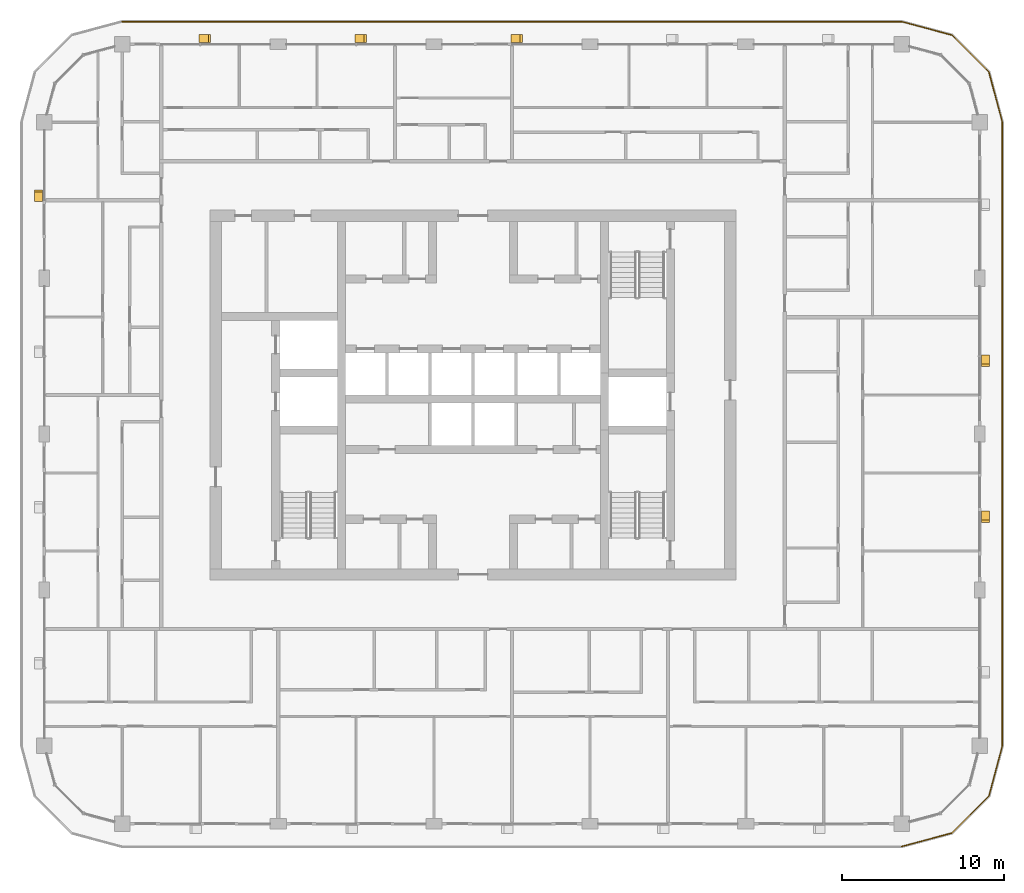
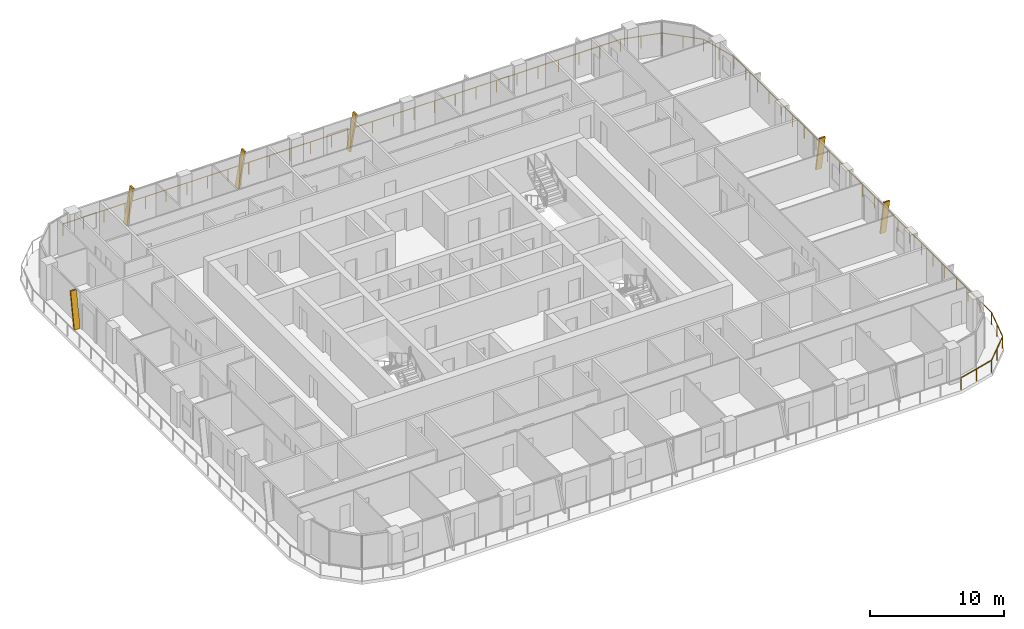
# One storey, part 21 of 22: 6 shading devices, 1 railing.
"""IFC4 building model written with IfcOpenShell, lengths in metres."""

from ifc_helpers import new_model, si_unit, direction, frame, origin, origin_2d, place, context, subcontext, project, spatial, polyline, circle, outline, extrude, material, type_object, element, save


model = new_model("IFC4")

# Units and contexts
model_context = context("Model", 3, precision=1e-05, world=origin(), true_north=direction((0.0, 1.0)))
body_context = subcontext(model_context, "Body", "Model", "MODEL_VIEW")
ifc_project = project(units=[si_unit("LENGTHUNIT", "METRE"), si_unit("AREAUNIT", "SQUARE_METRE"), si_unit("VOLUMEUNIT", "CUBIC_METRE"), si_unit("PLANEANGLEUNIT", "RADIAN"), si_unit("MASSUNIT", "GRAM", prefix="KILO")], contexts=[model_context])

# Site, building, storey
site_placement = place(None, origin())
site = spatial("IfcSite", under=ifc_project, at=site_placement, CompositionType="ELEMENT")
building_placement = place(site_placement, origin())
building = spatial("IfcBuilding", under=site, at=building_placement, Name="Madar Terraces", CompositionType="ELEMENT")
storey_placement = place(building_placement, frame((0.0, 0.0, 182.39990234375)))
storey = spatial("IfcBuildingStorey", under=building, at=storey_placement, Name="L47", CompositionType="ELEMENT", Elevation=182.39990234375)

# Railing
ifc_material_1 = material(Name="Glass, safety glazing, with stainless steel posts", Category="steel")
railing_type = type_object("IfcRailingType", Name="Balcony glass guard 1100", PredefinedType="GUARDRAIL", material=ifc_material_1)
railing_placement = place(storey_placement, frame((57.60009765625, -1.39990234375, 0.0)))
element("IfcRailing", 1, at=railing_placement, inside=storey, type_object=railing_type, Name="Balcony guard", PredefinedType="GUARDRAIL", context=body_context, shape_type="SweptSolid", body=[
    extrude(circle(Radius=0.02392578125, at=origin_2d()), frame((0.0, 0.0, 1.076171875), z_axis=(0.965928696102, 0.258808334578, 0.0), x_axis=(-0.258808334578, 0.965928696102, 0.0)), (0.0, 0.0, 1.0), 3.209228515625),
    extrude(circle(Radius=0.02392578125, at=origin_2d()), frame((3.099853515625, 0.83056640625, 1.076171875), z_axis=(0.707144815061, 0.707068745266, 0.0), x_axis=(-0.707068745266, 0.707144815061, 0.0)), (0.0, 0.0, 1.0), 3.20947265625),
    extrude(circle(Radius=0.02392578125, at=origin_2d()), frame((5.369384765625, 3.099853515625, 1.076171875), z_axis=(0.258789317819, 0.9659337912, 0.0), x_axis=(-0.9659337912, 0.258789317819, 0.0)), (0.0, 0.0, 1.0), 3.20947265625),
    extrude(circle(Radius=0.02392578125, at=origin_2d()), frame((6.199951171875, 6.199951171875, 1.076171875), z_axis=(0.0, 1.0, 0.0), x_axis=(-1.0, 0.0, 0.0)), (0.0, 0.0, 1.0), 38.39990234375),
    extrude(circle(Radius=0.02392578125, at=origin_2d()), frame((6.199951171875, 44.599853515625, 1.076171875), z_axis=(-0.258789317819, 0.9659337912, 0.0), x_axis=(-0.9659337912, -0.258789317819, 0.0)), (0.0, 0.0, 1.0), 3.20947265625),
    extrude(circle(Radius=0.02392578125, at=origin_2d()), frame((5.369384765625, 47.699951171875, 1.076171875), z_axis=(-0.707144815061, 0.707068745266, 0.0), x_axis=(-0.707068745266, -0.707144815061, 0.0)), (0.0, 0.0, 1.0), 3.20947265625),
    extrude(circle(Radius=0.02392578125, at=origin_2d()), frame((3.099853515625, 49.96923828125, 1.076171875), z_axis=(-0.965928696102, 0.258808334578, 0.0), x_axis=(-0.258808334578, -0.965928696102, 0.0)), (0.0, 0.0, 1.0), 3.209228515625),
    extrude(circle(Radius=0.02392578125, at=origin_2d()), frame((0.0, 50.7998046875, 1.076171875), z_axis=(-1.0, 0.0, 0.0), x_axis=(0.0, -1.0, 0.0)), (0.0, 0.0, 1.0), 48.0),
    extrude(circle(Radius=0.02099609375, at=origin_2d()), origin(), (0.0, 0.0, 1.0), 1.052001953125),
    extrude(circle(Radius=0.02099609375, at=origin_2d()), frame((1.5498046875, 0.415283203125, 0.0)), (0.0, 0.0, 1.0), 1.052001953125),
    extrude(circle(Radius=0.02099609375, at=origin_2d()), frame((3.099853515625, 0.83056640625, 0.0)), (0.0, 0.0, 1.0), 1.052001953125),
    extrude(circle(Radius=0.02099609375, at=origin_2d()), frame((4.234619140625, 1.96533203125, 0.0)), (0.0, 0.0, 1.0), 1.052001953125),
    extrude(circle(Radius=0.02099609375, at=origin_2d()), frame((5.369384765625, 3.099853515625, 0.0)), (0.0, 0.0, 1.0), 1.052001953125),
    extrude(circle(Radius=0.02099609375, at=origin_2d()), frame((5.78466796875, 4.64990234375, 0.0)), (0.0, 0.0, 1.0), 1.052001953125),
    extrude(circle(Radius=0.02099609375, at=origin_2d()), frame((6.199951171875, 6.199951171875, 0.0)), (0.0, 0.0, 1.0), 1.052001953125),
    extrude(circle(Radius=0.02099609375, at=origin_2d()), frame((6.199951171875, 7.9453125, 0.0)), (0.0, 0.0, 1.0), 1.052001953125),
    extrude(circle(Radius=0.02099609375, at=origin_2d()), frame((6.199951171875, 9.69091796875, 0.0)), (0.0, 0.0, 1.0), 1.052001953125),
    extrude(circle(Radius=0.02099609375, at=origin_2d()), frame((6.199951171875, 11.436279296875, 0.0)), (0.0, 0.0, 1.0), 1.052001953125),
    extrude(circle(Radius=0.02099609375, at=origin_2d()), frame((6.199951171875, 13.181640625, 0.0)), (0.0, 0.0, 1.0), 1.052001953125),
    extrude(circle(Radius=0.02099609375, at=origin_2d()), frame((6.199951171875, 14.92724609375, 0.0)), (0.0, 0.0, 1.0), 1.052001953125),
    extrude(circle(Radius=0.02099609375, at=origin_2d()), frame((6.199951171875, 16.672607421875, 0.0)), (0.0, 0.0, 1.0), 1.052001953125),
    extrude(circle(Radius=0.02099609375, at=origin_2d()), frame((6.199951171875, 18.418212890625, 0.0)), (0.0, 0.0, 1.0), 1.052001953125),
    extrude(circle(Radius=0.02099609375, at=origin_2d()), frame((6.199951171875, 20.16357421875, 0.0)), (0.0, 0.0, 1.0), 1.052001953125),
    extrude(circle(Radius=0.02099609375, at=origin_2d()), frame((6.199951171875, 21.908935546875, 0.0)), (0.0, 0.0, 1.0), 1.052001953125),
    extrude(circle(Radius=0.02099609375, at=origin_2d()), frame((6.199951171875, 23.654541015625, 0.0)), (0.0, 0.0, 1.0), 1.052001953125),
    extrude(circle(Radius=0.02099609375, at=origin_2d()), frame((6.199951171875, 25.39990234375, 0.0)), (0.0, 0.0, 1.0), 1.052001953125),
    extrude(circle(Radius=0.02099609375, at=origin_2d()), frame((6.199951171875, 27.145263671875, 0.0)), (0.0, 0.0, 1.0), 1.052001953125),
    extrude(circle(Radius=0.02099609375, at=origin_2d()), frame((6.199951171875, 28.890869140625, 0.0)), (0.0, 0.0, 1.0), 1.052001953125),
    extrude(circle(Radius=0.02099609375, at=origin_2d()), frame((6.199951171875, 30.63623046875, 0.0)), (0.0, 0.0, 1.0), 1.052001953125),
    extrude(circle(Radius=0.02099609375, at=origin_2d()), frame((6.199951171875, 32.381591796875, 0.0)), (0.0, 0.0, 1.0), 1.052001953125),
    extrude(circle(Radius=0.02099609375, at=origin_2d()), frame((6.199951171875, 34.127197265625, 0.0)), (0.0, 0.0, 1.0), 1.052001953125),
    extrude(circle(Radius=0.02099609375, at=origin_2d()), frame((6.199951171875, 35.87255859375, 0.0)), (0.0, 0.0, 1.0), 1.052001953125),
    extrude(circle(Radius=0.02099609375, at=origin_2d()), frame((6.199951171875, 37.6181640625, 0.0)), (0.0, 0.0, 1.0), 1.052001953125),
    extrude(circle(Radius=0.02099609375, at=origin_2d()), frame((6.199951171875, 39.363525390625, 0.0)), (0.0, 0.0, 1.0), 1.052001953125),
    extrude(circle(Radius=0.02099609375, at=origin_2d()), frame((6.199951171875, 41.10888671875, 0.0)), (0.0, 0.0, 1.0), 1.052001953125),
    extrude(circle(Radius=0.02099609375, at=origin_2d()), frame((6.199951171875, 42.8544921875, 0.0)), (0.0, 0.0, 1.0), 1.052001953125),
    extrude(circle(Radius=0.02099609375, at=origin_2d()), frame((6.199951171875, 44.599853515625, 0.0)), (0.0, 0.0, 1.0), 1.052001953125),
    extrude(circle(Radius=0.02099609375, at=origin_2d()), frame((5.78466796875, 46.14990234375, 0.0)), (0.0, 0.0, 1.0), 1.052001953125),
    extrude(circle(Radius=0.02099609375, at=origin_2d()), frame((5.369384765625, 47.699951171875, 0.0)), (0.0, 0.0, 1.0), 1.052001953125),
    extrude(circle(Radius=0.02099609375, at=origin_2d()), frame((4.234619140625, 48.83447265625, 0.0)), (0.0, 0.0, 1.0), 1.052001953125),
    extrude(circle(Radius=0.02099609375, at=origin_2d()), frame((3.099853515625, 49.96923828125, 0.0)), (0.0, 0.0, 1.0), 1.052001953125),
    extrude(circle(Radius=0.02099609375, at=origin_2d()), frame((1.5498046875, 50.384521484375, 0.0)), (0.0, 0.0, 1.0), 1.052001953125),
    extrude(circle(Radius=0.02099609375, at=origin_2d()), frame((0.0, 50.7998046875, 0.0)), (0.0, 0.0, 1.0), 1.052001953125),
    extrude(circle(Radius=0.02099609375, at=origin_2d()), frame((-1.77783203125, 50.7998046875, 0.0)), (0.0, 0.0, 1.0), 1.052001953125),
    extrude(circle(Radius=0.02099609375, at=origin_2d()), frame((-3.5556640625, 50.7998046875, 0.0)), (0.0, 0.0, 1.0), 1.052001953125),
    extrude(circle(Radius=0.02099609375, at=origin_2d()), frame((-5.333251953125, 50.7998046875, 0.0)), (0.0, 0.0, 1.0), 1.052001953125),
    extrude(circle(Radius=0.02099609375, at=origin_2d()), frame((-7.111083984375, 50.7998046875, 0.0)), (0.0, 0.0, 1.0), 1.052001953125),
    extrude(circle(Radius=0.02099609375, at=origin_2d()), frame((-8.888916015625, 50.7998046875, 0.0)), (0.0, 0.0, 1.0), 1.052001953125),
    extrude(circle(Radius=0.02099609375, at=origin_2d()), frame((-10.666748046875, 50.7998046875, 0.0)), (0.0, 0.0, 1.0), 1.052001953125),
    extrude(circle(Radius=0.02099609375, at=origin_2d()), frame((-12.4443359375, 50.7998046875, 0.0)), (0.0, 0.0, 1.0), 1.052001953125),
    extrude(circle(Radius=0.02099609375, at=origin_2d()), frame((-14.22216796875, 50.7998046875, 0.0)), (0.0, 0.0, 1.0), 1.052001953125),
    extrude(circle(Radius=0.02099609375, at=origin_2d()), frame((-16.0, 50.7998046875, 0.0)), (0.0, 0.0, 1.0), 1.052001953125),
    extrude(circle(Radius=0.02099609375, at=origin_2d()), frame((-17.77783203125, 50.7998046875, 0.0)), (0.0, 0.0, 1.0), 1.052001953125),
    extrude(circle(Radius=0.02099609375, at=origin_2d()), frame((-19.5556640625, 50.7998046875, 0.0)), (0.0, 0.0, 1.0), 1.052001953125),
    extrude(circle(Radius=0.02099609375, at=origin_2d()), frame((-21.333251953125, 50.7998046875, 0.0)), (0.0, 0.0, 1.0), 1.052001953125),
    extrude(circle(Radius=0.02099609375, at=origin_2d()), frame((-23.111083984375, 50.7998046875, 0.0)), (0.0, 0.0, 1.0), 1.052001953125),
    extrude(circle(Radius=0.02099609375, at=origin_2d()), frame((-24.888916015625, 50.7998046875, 0.0)), (0.0, 0.0, 1.0), 1.052001953125),
    extrude(circle(Radius=0.02099609375, at=origin_2d()), frame((-26.666748046875, 50.7998046875, 0.0)), (0.0, 0.0, 1.0), 1.052001953125),
    extrude(circle(Radius=0.02099609375, at=origin_2d()), frame((-28.4443359375, 50.7998046875, 0.0)), (0.0, 0.0, 1.0), 1.052001953125),
    extrude(circle(Radius=0.02099609375, at=origin_2d()), frame((-30.22216796875, 50.7998046875, 0.0)), (0.0, 0.0, 1.0), 1.052001953125),
    extrude(circle(Radius=0.02099609375, at=origin_2d()), frame((-32.0, 50.7998046875, 0.0)), (0.0, 0.0, 1.0), 1.052001953125),
    extrude(circle(Radius=0.02099609375, at=origin_2d()), frame((-33.77783203125, 50.7998046875, 0.0)), (0.0, 0.0, 1.0), 1.052001953125),
    extrude(circle(Radius=0.02099609375, at=origin_2d()), frame((-35.5556640625, 50.7998046875, 0.0)), (0.0, 0.0, 1.0), 1.052001953125),
    extrude(circle(Radius=0.02099609375, at=origin_2d()), frame((-37.333251953125, 50.7998046875, 0.0)), (0.0, 0.0, 1.0), 1.052001953125),
    extrude(circle(Radius=0.02099609375, at=origin_2d()), frame((-39.111083984375, 50.7998046875, 0.0)), (0.0, 0.0, 1.0), 1.052001953125),
    extrude(circle(Radius=0.02099609375, at=origin_2d()), frame((-40.888916015625, 50.7998046875, 0.0)), (0.0, 0.0, 1.0), 1.052001953125),
    extrude(circle(Radius=0.02099609375, at=origin_2d()), frame((-42.666748046875, 50.7998046875, 0.0)), (0.0, 0.0, 1.0), 1.052001953125),
    extrude(circle(Radius=0.02099609375, at=origin_2d()), frame((-44.4443359375, 50.7998046875, 0.0)), (0.0, 0.0, 1.0), 1.052001953125),
    extrude(circle(Radius=0.02099609375, at=origin_2d()), frame((-46.22216796875, 50.7998046875, 0.0)), (0.0, 0.0, 1.0), 1.052001953125),
    extrude(circle(Radius=0.02099609375, at=origin_2d()), frame((-48.0, 50.7998046875, 0.0)), (0.0, 0.0, 1.0), 1.052001953125),
])

# Shading devices
ifc_material_2 = material(Name="Aluminium, black anodised", Category="aluminium")
shading_device_type = type_object("IfcShadingDeviceType", Name="Facade fin blade 140 x 500", PredefinedType="USERDEFINED", material=ifc_material_2)
for number, where, z_axis, x_axis, name in (
    (2, (62.75, 19.1298828125, 0.0), (0.0, 0.0, 1.0), (0.0, 1.0, 0.0), "FIN L47 E2"),
    (3, (62.75, 28.72998046875, 0.0), (0.0, 0.0, 1.0), (0.0, 1.0, 0.0), "FIN L47 E3"),
):
    element("IfcShadingDevice", number, at=place(storey_placement, frame(where, z_axis=z_axis, x_axis=x_axis)), inside=storey, type_object=shading_device_type, Name=name, ObjectType="FIN", PredefinedType="USERDEFINED", context=body_context, shape_type="SweptSolid", body=[
        extrude(outline(polyline([(0.0, 0.0), (0.14013671875, 0.0), (-0.42431640625, 3.2001953125), (-0.564208984375, 3.2001953125), (0.0, 0.0)])), frame((0.0, 0.25, 0.0), z_axis=(0.0, -1.0, 0.0), x_axis=(1.0, 0.0, 0.0)), (0.0, 0.0, 1.0), 0.5),
    ])
shading_device_1_placement = place(storey_placement, frame((33.669921875, 48.35009765625, 0.0), z_axis=(0.0, 0.0, 1.0), x_axis=(-1.0, 0.0, 0.0)))
element("IfcShadingDevice", 4, at=shading_device_1_placement, inside=storey, type_object=shading_device_type, Name="FIN L47 N3", ObjectType="FIN", PredefinedType="USERDEFINED", context=body_context, shape_type="SweptSolid", body=[
    extrude(outline(polyline([(0.0, 0.0), (0.139892578125, 0.0), (-0.42431640625, 3.2001953125), (-0.564208984375, 3.2001953125), (0.0, 0.0)])), frame((0.0, 0.25, 0.0), z_axis=(0.0, -1.0, 0.0), x_axis=(1.0, 0.0, 0.0)), (0.0, 0.0, 1.0), 0.5),
])
shading_device_2_placement = place(storey_placement, frame((24.070068359375, 48.35009765625, 0.0), z_axis=(0.0, 0.0, 1.0), x_axis=(-1.0, 0.0, 0.0)))
element("IfcShadingDevice", 5, at=shading_device_2_placement, inside=storey, type_object=shading_device_type, Name="FIN L47 N4", ObjectType="FIN", PredefinedType="USERDEFINED", context=body_context, shape_type="SweptSolid", body=[
    extrude(outline(polyline([(0.0, 0.0), (0.14013671875, 0.0), (-0.42431640625, 3.2001953125), (-0.564208984375, 3.2001953125), (0.0, 0.0)])), frame((0.0, 0.25, 0.0), z_axis=(0.0, -1.0, 0.0), x_axis=(1.0, 0.0, 0.0)), (0.0, 0.0, 1.0), 0.5),
])
for number, where, z_axis, x_axis, name in (
    (6, (14.469970703125, 48.35009765625, 0.0), (0.0, 0.0, 1.0), (-1.0, 0.0, 0.0), "FIN L47 N5"),
    (7, (4.449951171875, 38.469970703125, 0.0), (0.0, 0.0, 1.0), (0.0, -1.0, 0.0), "FIN L47 W1"),
):
    element("IfcShadingDevice", number, at=place(storey_placement, frame(where, z_axis=z_axis, x_axis=x_axis)), inside=storey, type_object=shading_device_type, Name=name, ObjectType="FIN", PredefinedType="USERDEFINED", context=body_context, shape_type="SweptSolid", body=[
        extrude(outline(polyline([(0.0, 0.0), (0.139892578125, 0.0), (-0.42431640625, 3.2001953125), (-0.564208984375, 3.2001953125), (0.0, 0.0)])), frame((0.0, 0.25, 0.0), z_axis=(0.0, -1.0, 0.0), x_axis=(1.0, 0.0, 0.0)), (0.0, 0.0, 1.0), 0.5),
    ])

save(model, "model.ifc")
